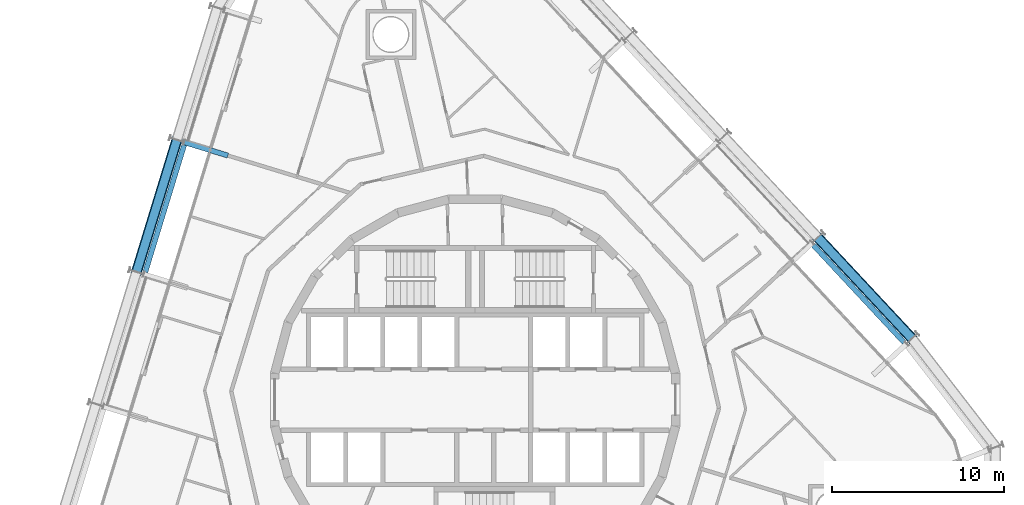
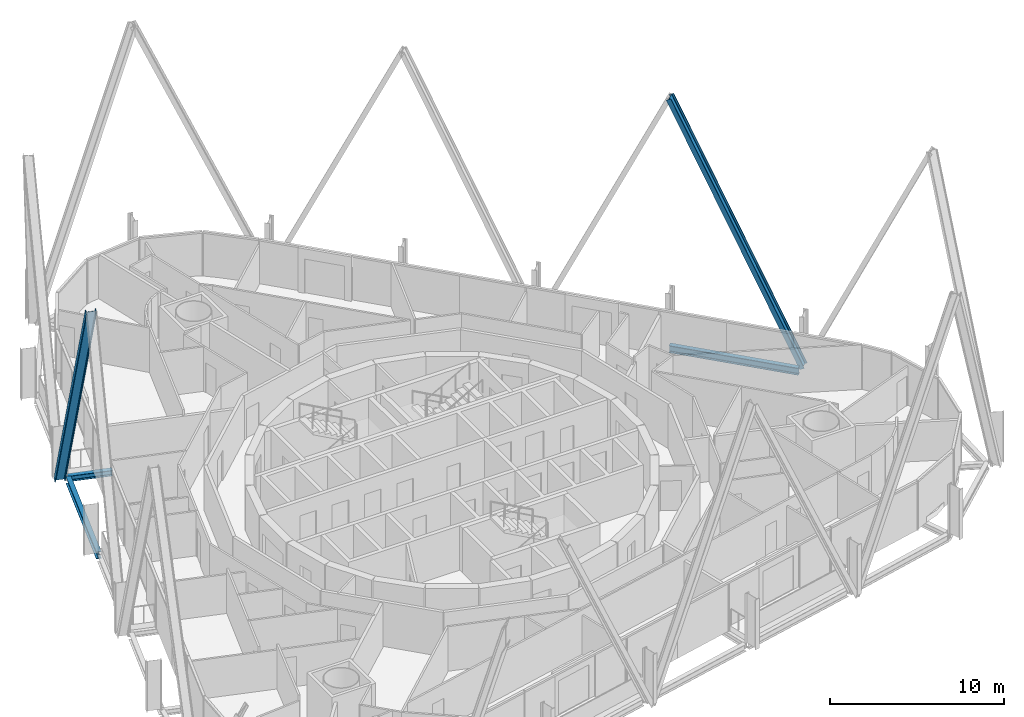
# One storey, part 7 of 18: 3 beams, 2 members.
"""IFC4 building model written with IfcOpenShell, lengths in metres."""

import ifcopenshell
import ifcopenshell.guid

model = None  # the IFC model being written
_history = None  # IfcOwnerHistory: only IFC2X3 demands one
_inside = {}  # id of a spatial element -> (the spatial element, [elements in it])
_under = {}  # id of a project, library or spatial element -> (it, [spatial elements below it])
_declared = {}  # id of a project -> (the project, [libraries it declares])
_typed = {}  # id of a type object -> (the type object, [elements of that type])
_made_of = {}  # id of a material, layer set ... -> (it, [elements and type objects made of it])


def new_model(schema):
    """Start an empty IFC model of exactly this schema.

    Asked for "IFC4X3", IfcOpenShell would pick the latest addendum, in which some entities
    have other attributes; the version numbers below select the first issue.
    IFC2X3 requires an IfcOwnerHistory on every rooted entity: one is made here for all.
    """
    global model, _history
    if schema == "IFC4X3":
        model = ifcopenshell.file(schema_version=(4, 3, 0, 0))
    else:
        model = ifcopenshell.file(schema=schema)
    _inside.clear()
    _under.clear()
    _declared.clear()
    _typed.clear()
    _made_of.clear()
    _history = None
    if model.schema == "IFC2X3":
        org = make("IfcOrganization", Name="unknown")
        user = make(
            "IfcPersonAndOrganization",
            ThePerson=make("IfcPerson", FamilyName="unknown"),
            TheOrganization=org,
        )
        app = make(
            "IfcApplication",
            ApplicationDeveloper=org,
            Version="unknown",
            ApplicationFullName="unknown",
            ApplicationIdentifier="unknown",
        )
        _history = make(
            "IfcOwnerHistory",
            OwningUser=user,
            OwningApplication=app,
            ChangeAction="ADDED",
            CreationDate=0,
        )
    return model


def make(cls, **values):
    """One entity of the class cls with the attributes given. An attribute that is None is left unset."""
    return model.create_entity(
        cls, **{name: value for name, value in values.items() if value is not None}
    )


def rooted(cls, **values):
    """An entity with a GlobalId (a new one), such as an element, a storey or a relation."""
    return make(cls, GlobalId=ifcopenshell.guid.new(), OwnerHistory=_history, **values)


def si_unit(unit_type, name, prefix=None):
    """IfcSIUnit, for example si_unit("LENGTHUNIT", "METRE", prefix="MILLI")."""
    return make("IfcSIUnit", UnitType=unit_type, Prefix=prefix, Name=name)


def assignment(units):
    """IfcUnitAssignment: the units of a project."""
    return None if units is None else make("IfcUnitAssignment", Units=units)


def point(xyz):
    """IfcCartesianPoint."""
    return None if xyz is None else make("IfcCartesianPoint", Coordinates=xyz)


def direction(xyz):
    """IfcDirection."""
    return None if xyz is None else make("IfcDirection", DirectionRatios=xyz)


def frame(location, z_axis=None, x_axis=None):
    """IfcAxis2Placement3D, a coordinate frame: its origin and axes. An axis left out is left unset."""
    return make(
        "IfcAxis2Placement3D",
        Location=point(location),
        Axis=direction(z_axis),
        RefDirection=direction(x_axis),
    )


def frame_2d(location, x_axis=None):
    """IfcAxis2Placement2D, a coordinate frame in the plane: its origin and x axis."""
    return make(
        "IfcAxis2Placement2D", Location=point(location), RefDirection=direction(x_axis)
    )


def origin():
    """The frame at (0, 0, 0) with its axes left unset."""
    return frame((0.0, 0.0, 0.0))


def origin_2d():
    """The frame at (0, 0) in the plane with its x axis left unset."""
    return frame_2d((0.0, 0.0))


def place(relative_to, where):
    """IfcLocalPlacement: puts the frame where relative to a parent placement (None: the world)."""
    return make(
        "IfcLocalPlacement", PlacementRelTo=relative_to, RelativePlacement=where
    )


def context(
    kind, dimensions, precision=None, world=None, true_north=None, identifier=None
):
    """IfcGeometricRepresentationContext, for example the 3D "Model" context."""
    return make(
        "IfcGeometricRepresentationContext",
        ContextIdentifier=identifier,
        ContextType=kind,
        CoordinateSpaceDimension=dimensions,
        Precision=precision,
        WorldCoordinateSystem=world,
        TrueNorth=true_north,
    )


def subcontext(parent, identifier, kind, view, scale=None):
    """IfcGeometricRepresentationSubContext, for example "Body" below "Model"."""
    return make(
        "IfcGeometricRepresentationSubContext",
        ContextIdentifier=identifier,
        ContextType=kind,
        ParentContext=parent,
        TargetScale=scale,
        TargetView=view,
    )


def project(units=None, contexts=None):
    """IfcProject with its units and contexts."""
    return rooted(
        "IfcProject",
        Name="project",
        RepresentationContexts=contexts,
        UnitsInContext=assignment(units),
    )


def spatial(cls, under=None, at=None, **own):
    """A site, building, storey or space (cls), placed at a placement, below another one or the project."""
    s = rooted(cls, ObjectPlacement=at, **own)
    if under is not None:
        _under.setdefault(under.id(), (under, []))[1].append(s)
    return s


def profile(cls, at=None, kind="AREA", **sizes):
    """A parametric profile (cls). Its sizes go by their IFC names, for example OverallWidth=200.0."""
    return make(cls, ProfileType=kind, Position=at, **sizes)


def i_section(**sizes):
    """IfcIShapeProfileDef."""
    return profile("IfcIShapeProfileDef", **sizes)


def extrude(swept, where, along, depth):
    """IfcExtrudedAreaSolid: the profile swept, set in the frame where, extruded along a direction by depth."""
    return make(
        "IfcExtrudedAreaSolid",
        SweptArea=swept,
        Position=where,
        ExtrudedDirection=direction(along),
        Depth=depth,
    )


def shape(context_of_items, identifier, shape_type, items):
    """IfcShapeRepresentation: the items that make up one representation, for example the "Body"."""
    return make(
        "IfcShapeRepresentation",
        ContextOfItems=context_of_items,
        RepresentationIdentifier=identifier,
        RepresentationType=shape_type,
        Items=items,
    )


def material(Name=None, Category=None):
    """IfcMaterial."""
    return make("IfcMaterial", Name=Name, Category=Category)


def material_profile(
    of_material, cross_section, Name=None, Category=None, Priority=None
):
    """IfcMaterialProfile: a cross section and its material."""
    return make(
        "IfcMaterialProfile",
        Name=Name,
        Material=of_material,
        Profile=cross_section,
        Priority=Priority,
        Category=Category,
    )


def profile_set(profiles, Name=None, composite=None):
    """IfcMaterialProfileSet."""
    return make(
        "IfcMaterialProfileSet",
        Name=Name,
        MaterialProfiles=profiles,
        CompositeProfile=composite,
    )


def made_of(thing, what):
    """Note that an element or type object is made of a material, layer set ...; save() writes the relation."""
    if what is not None:
        _made_of.setdefault(what.id(), (what, []))[1].append(thing)
    return thing


def type_object(cls, material=None, **own):
    """A type object (cls), such as IfcWallType, which elements share."""
    return made_of(rooted(cls, **own), material)


def element(
    cls,
    number,
    at=None,
    inside=None,
    cuts=None,
    type_object=None,
    material=None,
    context=None,
    identifier="Body",
    shape_type=None,
    held_by="IfcProductDefinitionShape",
    body=None,
    shapes=None,
    **own,
):
    """One element of the class cls, such as IfcWall. Its Tag is "e" and its number.

    at: its placement. inside: the storey or other place that contains it. cuts: it is an
    opening in that element (IfcRelVoidsElement). A single representation is given by context,
    identifier, shape_type and body (its items); several are given by shapes. held_by: the class
    of the entity that holds the representations. save() writes the other relations.
    """
    e = rooted(cls, Tag="e%d" % number, ObjectPlacement=at, **own)
    if body is not None:
        shapes = [shape(context, identifier, shape_type, body)]
    if shapes is not None:
        e.Representation = make(held_by, Representations=shapes)
    if inside is not None:
        _inside.setdefault(inside.id(), (inside, []))[1].append(e)
    if cuts is not None:
        rooted(
            "IfcRelVoidsElement", RelatingBuildingElement=cuts, RelatedOpeningElement=e
        )
    if type_object is not None:
        _typed.setdefault(type_object.id(), (type_object, []))[1].append(e)
    return made_of(e, material)


def aggregate(whole, parts):
    """IfcRelAggregates: a whole, such as a stair, and the parts it consists of."""
    return rooted("IfcRelAggregates", RelatingObject=whole, RelatedObjects=parts)


def save(model, path):
    """Write the relations noted so far, then the file.

    IfcRelAggregates (storeys below a building ...), IfcRelContainedInSpatialStructure (elements
    in a storey), IfcRelDefinesByType, IfcRelAssociatesMaterial and IfcRelDeclares: one each for
    every whole, place, type object, material and project.
    """
    for whole, parts in _under.values():
        aggregate(whole, parts)
    for where, things in _inside.values():
        rooted(
            "IfcRelContainedInSpatialStructure",
            RelatedElements=things,
            RelatingStructure=where,
        )
    for kind, things in _typed.values():
        rooted("IfcRelDefinesByType", RelatedObjects=things, RelatingType=kind)
    for what, things in _made_of.values():
        rooted("IfcRelAssociatesMaterial", RelatedObjects=things, RelatingMaterial=what)
    for by, libraries in _declared.values():
        rooted("IfcRelDeclares", RelatingContext=by, RelatedDefinitions=libraries)
    model.write(path)


model = new_model("IFC4")

# Units and contexts
model_context = context("Model", 3, precision=1e-05, world=origin(), true_north=direction((0.0, 1.0)))
body_context = subcontext(model_context, "Body", "Model", "MODEL_VIEW")
ifc_project = project(units=[si_unit("LENGTHUNIT", "METRE"), si_unit("AREAUNIT", "SQUARE_METRE"), si_unit("VOLUMEUNIT", "CUBIC_METRE"), si_unit("PLANEANGLEUNIT", "RADIAN"), si_unit("MASSUNIT", "GRAM", prefix="KILO")], contexts=[model_context])

# Site, building, storey
site_placement = place(None, origin())
site = spatial("IfcSite", under=ifc_project, at=site_placement, CompositionType="ELEMENT")
building_placement = place(site_placement, origin())
building = spatial("IfcBuilding", under=site, at=building_placement, Name="Spindle Arch Residences", CompositionType="ELEMENT")
storey_placement = place(building_placement, frame((0.0, 0.0, 127.39990234375)))
storey = spatial("IfcBuildingStorey", under=building, at=storey_placement, Name="L31", CompositionType="ELEMENT", Elevation=127.39990234375)

# Members
ifc_material_1 = material(Name="Steel S460ML, intumescent coating R 240", Category="steel")
ifc_material_profile_1 = material_profile(ifc_material_1, i_section(OverallWidth=0.304931640625, OverallDepth=0.6201171875, WebThickness=0.02099609375, FlangeThickness=0.0400390625, FilletRadius=0.027099609375, at=origin_2d()), Name="HEM 600")
ifc_profile_set_1 = profile_set([ifc_material_profile_1], Name="Steel S460ML, intumescent coating R 240")
member_type = type_object("IfcMemberType", Name="Diagrid diagonal HEM 600", PredefinedType="BRACE", material=ifc_profile_set_1)
for number, where, z_axis, x_axis, name in (
    (1, (25.390869140625, 3.550048828125, -0.6298828125), (-0.287476413975, 0.308291505879, 0.906815118318), (0.618434840732, -0.663213394451, 0.421528576954), "Diagrid diagonal 3.2.6"),
    (2, (-17.3349609375, 15.09521484375, -0.6298828125), (-0.123237704008, -0.403102006349, 0.906819298862), (0.265122506132, 0.867197380952, 0.421519583426), "Diagrid diagonal 3.2.14"),
):
    element("IfcMember", number, at=place(storey_placement, frame(where, z_axis=z_axis, x_axis=x_axis)), inside=storey, type_object=member_type, Name=name, PredefinedType="BRACE", context=body_context, shape_type="SweptSolid", body=[
        extrude(i_section(OverallWidth=0.304931640625, OverallDepth=0.6201171875, WebThickness=0.02099609375, FlangeThickness=0.0400390625, FilletRadius=0.027099609375, at=origin_2d()), origin(), (0.0, 0.0, 1.0), 19.0478515625),
    ])

# Beams
ifc_material_2 = material(Name="Steel S460ML, intumescent coating R 120", Category="steel")
ifc_material_profile_2 = material_profile(ifc_material_2, i_section(OverallWidth=0.300048828125, OverallDepth=0.5, WebThickness=0.014404296875, FlangeThickness=0.028076171875, FilletRadius=0.027099609375, at=origin_2d()), Name="HEB 500")
ifc_profile_set_2 = profile_set([ifc_material_profile_2], Name="Steel S460ML, intumescent coating R 120")
beam_type_1 = type_object("IfcBeamType", Name="Exoskeleton edge beam HEB 500", PredefinedType="BEAM", material=ifc_profile_set_2)
for number, where, z_axis, x_axis, name in (
    (3, (24.94384765625, 3.31103515625, -0.6298828125), (-0.682008048331, 0.731344667042, 0.0), (-0.731344667042, -0.682008048331, 0.0), "Exoskeleton edge beam 6"),
    (4, (-16.904296875, 14.82763671875, -0.6298828125), (-0.292371816855, -0.956304721681, 0.0), (0.956304721681, -0.292371816855, 0.0), "Exoskeleton edge beam 14"),
):
    element("IfcBeam", number, at=place(storey_placement, frame(where, z_axis=z_axis, x_axis=x_axis)), inside=storey, type_object=beam_type_1, Name=name, PredefinedType="BEAM", context=body_context, shape_type="SweptSolid", body=[
        extrude(i_section(OverallWidth=0.300048828125, OverallDepth=0.5, WebThickness=0.014404296875, FlangeThickness=0.028076171875, FilletRadius=0.027099609375, at=origin_2d()), origin(), (0.0, 0.0, 1.0), 7.76904296875),
    ])
ifc_material_3 = material(Name="Steel S460ML, intumescent coating R 120", Category="steel")
ifc_material_profile_3 = material_profile(ifc_material_3, i_section(OverallWidth=0.300048828125, OverallDepth=0.389892578125, WebThickness=0.010986328125, FlangeThickness=0.01904296875, FilletRadius=0.027099609375, at=origin_2d()), Name="HEA 400")
ifc_profile_set_3 = profile_set([ifc_material_profile_3], Name="Steel S460ML, intumescent coating R 120")
beam_type_2 = type_object("IfcBeamType", Name="Floor outrigger HEA 400", PredefinedType="BEAM", material=ifc_profile_set_3)
beam_placement = place(storey_placement, frame((-16.904541015625, 14.963623046875, -0.574951171875), z_axis=(0.956291475666, -0.292415139091, 0.0), x_axis=(0.292415139091, 0.956291475666, 0.0)))
element("IfcBeam", 5, at=beam_placement, inside=storey, type_object=beam_type_2, Name="Floor outrigger 14", PredefinedType="BEAM", context=body_context, shape_type="SweptSolid", body=[
    extrude(i_section(OverallWidth=0.300048828125, OverallDepth=0.389892578125, WebThickness=0.010986328125, FlangeThickness=0.01904296875, FilletRadius=0.027099609375, at=origin_2d()), origin(), (0.0, 0.0, 1.0), 2.64990234375),
])

save(model, "model.ifc")
